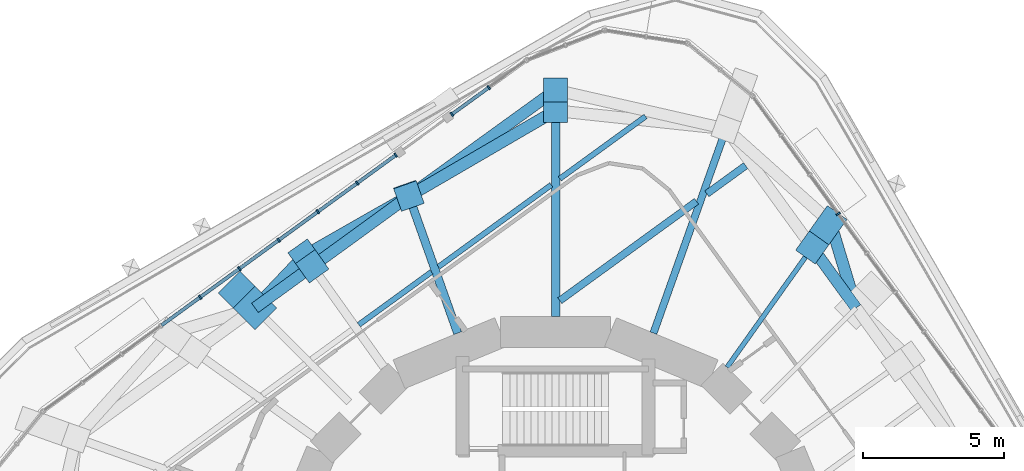
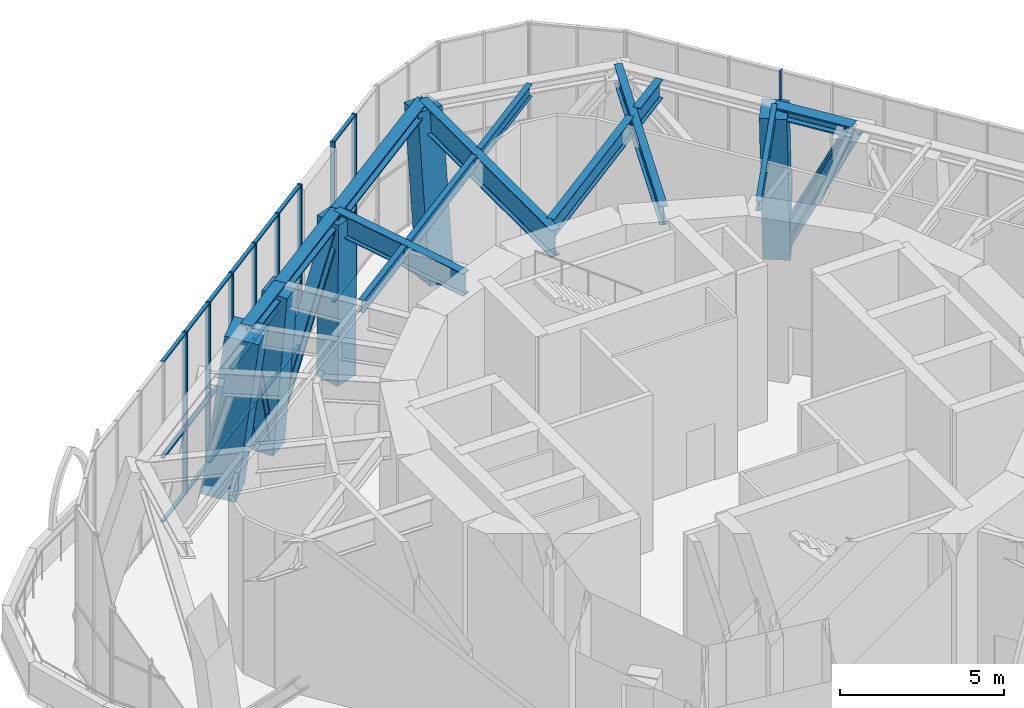
# One storey, part 8 of 18: 43 members, 9 beams, 3 elements without a shape of their own.
"""IFC4 building model written with IfcOpenShell, lengths in metres."""

from ifc_helpers import new_model, si_unit, direction, frame, origin, origin_2d, place, context, subcontext, project, spatial, rectangle, i_section, extrude, material, material_profile, profile_set, type_object, element, aggregate, save


model = new_model("IFC4")

# Units and contexts
model_context = context("Model", 3, precision=1e-05, world=origin(), true_north=direction((0.0, 1.0)))
body_context = subcontext(model_context, "Body", "Model", "MODEL_VIEW")
ifc_project = project(units=[si_unit("LENGTHUNIT", "METRE"), si_unit("AREAUNIT", "SQUARE_METRE"), si_unit("VOLUMEUNIT", "CUBIC_METRE"), si_unit("PLANEANGLEUNIT", "RADIAN"), si_unit("MASSUNIT", "GRAM", prefix="KILO")], contexts=[model_context])

# Site, building, storey
site_placement = place(None, origin())
site = spatial("IfcSite", under=ifc_project, at=site_placement, CompositionType="ELEMENT")
building_placement = place(site_placement, origin())
building = spatial("IfcBuilding", under=site, at=building_placement, Name="Nakasero Lantern House", CompositionType="ELEMENT")
storey_placement = place(building_placement, frame((0.0, 0.0, 257.75)))
storey = spatial("IfcBuildingStorey", under=building, at=storey_placement, Name="L63", CompositionType="ELEMENT", Elevation=257.75)

# Members
ifc_material_1 = material(Name="Steel S355", Category="steel")
ifc_material_profile_1 = material_profile(ifc_material_1, i_section(OverallWidth=0.406982421875, OverallDepth=0.4189453125, WebThickness=0.030517578125, FlangeThickness=0.04931640625, FilletRadius=0.01513671875, at=origin_2d()), Name="UC 356x406x393")
ifc_profile_set_1 = profile_set([ifc_material_profile_1], Name="Steel S355")
member_type_1 = type_object("IfcMemberType", Name="Belt truss chord UC 356x406x393", PredefinedType="CHORD", material=ifc_profile_set_1)
member_1_placement = place(storey_placement, frame((10.667236328125, 10.667236328125, 5.590576171875), z_axis=(-0.587782635143, 0.809018895839, 0.0), x_axis=(-0.809018895839, -0.587782635143, 0.0)))
element("IfcMember", 1, at=member_1_placement, inside=storey, type_object=member_type_1, Name="Belt truss top chord T6 B7-C06T", PredefinedType="CHORD", context=body_context, shape_type="SweptSolid", body=[
    extrude(i_section(OverallWidth=0.406982421875, OverallDepth=0.4189453125, WebThickness=0.030517578125, FlangeThickness=0.04931640625, FilletRadius=0.01513671875, at=origin_2d()), origin(), (0.0, 0.0, 1.0), 2.649658203125),
])
member_2_placement = place(storey_placement, frame((0.0, 18.39990234375, 5.590576171875), z_axis=(-0.810316200404, -0.58599287996, 0.0), x_axis=(0.58599287996, -0.810316200404, 0.0)))
element("IfcMember", 2, at=member_2_placement, inside=storey, type_object=member_type_1, Name="Belt truss top chord T6 B7-C09T", PredefinedType="CHORD", context=body_context, shape_type="SweptSolid", body=[
    extrude(i_section(OverallWidth=0.406982421875, OverallDepth=0.4189453125, WebThickness=0.030517578125, FlangeThickness=0.04931640625, FilletRadius=0.01513671875, at=origin_2d()), origin(), (0.0, 0.0, 1.0), 6.42236328125),
])
member_3_placement = place(storey_placement, frame((-5.2041015625, 14.636474609375, 5.590576171875), z_axis=(-0.809012304944, -0.587791706687, 0.0), x_axis=(0.587791706687, -0.809012304944, 0.0)))
element("IfcMember", 3, at=member_3_placement, inside=storey, type_object=member_type_1, Name="Belt truss top chord T6 B7-C10T", PredefinedType="CHORD", context=body_context, shape_type="SweptSolid", body=[
    extrude(i_section(OverallWidth=0.406982421875, OverallDepth=0.4189453125, WebThickness=0.030517578125, FlangeThickness=0.04931640625, FilletRadius=0.01513671875, at=origin_2d()), origin(), (0.0, 0.0, 1.0), 4.2412109375),
])
member_4_placement = place(storey_placement, frame((-8.63525390625, 12.1435546875, 5.590576171875), z_axis=(-0.809017616558, -0.58778439593, 0.0), x_axis=(0.58778439593, -0.809017616558, 0.0)))
element("IfcMember", 4, at=member_4_placement, inside=storey, type_object=member_type_1, Name="Belt truss top chord T6 B7-C11T", PredefinedType="CHORD", context=body_context, shape_type="SweptSolid", body=[
    extrude(i_section(OverallWidth=0.406982421875, OverallDepth=0.4189453125, WebThickness=0.030517578125, FlangeThickness=0.04931640625, FilletRadius=0.01513671875, at=origin_2d()), origin(), (0.0, 0.0, 1.0), 2.51171875),
])
ifc_material_2 = material(Name="Steel S355", Category="steel")
ifc_material_profile_2 = material_profile(ifc_material_2, i_section(OverallWidth=0.41845703125, OverallDepth=0.45556640625, WebThickness=0.0419921875, FlangeThickness=0.0673828125, FilletRadius=0.01513671875, at=origin_2d()), Name="UC 356x406x551")
ifc_profile_set_2 = profile_set([ifc_material_profile_2], Name="Steel S355")
member_type_2 = type_object("IfcMemberType", Name="Belt truss diagonal UC 356x406x551", PredefinedType="BRACE", material=ifc_profile_set_2)
member_5_placement = place(storey_placement, frame((10.667236328125, 10.667236328125, 5.590576171875), z_axis=(-0.135007261487, 0.448346351729, -0.883605448284), x_axis=(-0.95752990218, -0.288333984177, 0.0)))
element("IfcMember", 5, at=member_5_placement, inside=storey, type_object=member_type_2, Name="Belt truss diagonal T6-06", PredefinedType="BRACE", context=body_context, shape_type="SweptSolid", body=[
    extrude(i_section(OverallWidth=0.41845703125, OverallDepth=0.45556640625, WebThickness=0.0419921875, FlangeThickness=0.0673828125, FilletRadius=0.01513671875, at=origin_2d()), origin(), (0.0, 0.0, 1.0), 6.790283203125),
])
member_6_placement = place(storey_placement, frame((0.0, 17.6669921875, -0.409423828125), z_axis=(-0.612176455145, -0.356490257915, 0.705800739428), x_axis=(0.503225602442, -0.864155074652, 0.0)))
element("IfcMember", 6, at=member_6_placement, inside=storey, type_object=member_type_2, Name="Belt truss diagonal T6-09", PredefinedType="BRACE", context=body_context, shape_type="SweptSolid", body=[
    extrude(i_section(OverallWidth=0.41845703125, OverallDepth=0.45556640625, WebThickness=0.0419921875, FlangeThickness=0.0673828125, FilletRadius=0.01513671875, at=origin_2d()), origin(), (0.0, 0.0, 1.0), 8.5009765625),
])
member_7_placement = place(storey_placement, frame((-5.2041015625, 14.636474609375, 5.590576171875), z_axis=(-0.503052316846, -0.286937193585, -0.815233349081), x_axis=(0.495460255243, -0.868630609336, 0.0)))
element("IfcMember", 7, at=member_7_placement, inside=storey, type_object=member_type_2, Name="Belt truss diagonal T6-10", PredefinedType="BRACE", context=body_context, shape_type="SweptSolid", body=[
    extrude(i_section(OverallWidth=0.41845703125, OverallDepth=0.45556640625, WebThickness=0.0419921875, FlangeThickness=0.0673828125, FilletRadius=0.01513671875, at=origin_2d()), origin(), (0.0, 0.0, 1.0), 7.35986328125),
])
member_8_placement = place(storey_placement, frame((-8.906494140625, 12.524658203125, -0.409423828125), z_axis=(-0.269926062061, -0.284747293422, 0.919814600835), x_axis=(0.725742091262, -0.687966872001, 0.0)))
element("IfcMember", 8, at=member_8_placement, inside=storey, type_object=member_type_2, Name="Belt truss diagonal T6-11", PredefinedType="BRACE", context=body_context, shape_type="SweptSolid", body=[
    extrude(i_section(OverallWidth=0.41845703125, OverallDepth=0.45556640625, WebThickness=0.0419921875, FlangeThickness=0.0673828125, FilletRadius=0.01513671875, at=origin_2d()), origin(), (0.0, 0.0, 1.0), 6.52294921875),
])

# Beams
ifc_material_3 = material(Name="Steel S355", Category="steel")
ifc_material_profile_3 = material_profile(ifc_material_3, i_section(OverallWidth=0.19140625, OverallDepth=0.4599609375, WebThickness=0.010009765625, FlangeThickness=0.01611328125, FilletRadius=0.01025390625, at=origin_2d()), Name="UB 457x191x82")
ifc_profile_set_3 = profile_set([ifc_material_profile_3], Name="Steel S355")
beam_type_1 = type_object("IfcBeamType", Name="Infill beam UB 457x191x82", PredefinedType="JOIST", material=ifc_profile_set_3)
beam_1_placement = place(storey_placement, frame((-6.981201171875, 10.069580078125, 5.570068359375), z_axis=(0.809014147131, 0.587789171167, 0.0), x_axis=(-0.587789171167, 0.809014147131, 0.0)))
element("IfcBeam", 9, at=beam_1_placement, inside=storey, type_object=beam_type_1, Name="Infill beam L64 10.5", PredefinedType="JOIST", context=body_context, shape_type="SweptSolid", body=[
    extrude(i_section(OverallWidth=0.19140625, OverallDepth=0.4599609375, WebThickness=0.010009765625, FlangeThickness=0.01611328125, FilletRadius=0.01025390625, at=origin_2d()), origin(), (0.0, 0.0, 1.0), 3.188232421875),
])
beam_2_placement = place(storey_placement, frame((-4.1552734375, 12.122802734375, 5.570068359375), z_axis=(0.809008944548, 0.587796331769, 0.0), x_axis=(-0.587796331769, 0.809008944548, 0.0)))
element("IfcBeam", 10, at=beam_2_placement, inside=storey, type_object=beam_type_1, Name="Infill beam L64 10.6", PredefinedType="JOIST", context=body_context, shape_type="SweptSolid", body=[
    extrude(i_section(OverallWidth=0.19140625, OverallDepth=0.4599609375, WebThickness=0.010009765625, FlangeThickness=0.01611328125, FilletRadius=0.01025390625, at=origin_2d()), origin(), (0.0, 0.0, 1.0), 4.950927734375),
])
beam_3_placement = place(storey_placement, frame((0.14990234375, 15.250732421875, 5.570068359375), z_axis=(0.809008105929, 0.587797485994, 0.0), x_axis=(-0.587797485994, 0.809008105929, 0.0)))
element("IfcBeam", 11, at=beam_3_placement, inside=storey, type_object=beam_type_1, Name="Infill beam L64 10.7", PredefinedType="JOIST", context=body_context, shape_type="SweptSolid", body=[
    extrude(i_section(OverallWidth=0.19140625, OverallDepth=0.4599609375, WebThickness=0.010009765625, FlangeThickness=0.01611328125, FilletRadius=0.01025390625, at=origin_2d()), origin(), (0.0, 0.0, 1.0), 3.763427734375),
])
ifc_material_4 = material(Name="Steel S355", Category="steel")
ifc_material_profile_4 = material_profile(ifc_material_4, i_section(OverallWidth=0.255859375, OverallDepth=0.69287109375, WebThickness=0.014404296875, FlangeThickness=0.023681640625, FilletRadius=0.01513671875, at=origin_2d()), Name="UB 686x254x170")
ifc_profile_set_4 = profile_set([ifc_material_profile_4], Name="Steel S355")
beam_type_2 = type_object("IfcBeamType", Name="Infill beam UB 686x254x170", PredefinedType="JOIST", material=ifc_profile_set_4)
beam_4_placement = place(storey_placement, frame((0.14990234375, 10.924560546875, 5.45361328125), z_axis=(0.809022921666, 0.587777093989, 0.0), x_axis=(-0.587777093989, 0.809022921666, 0.0)))
element("IfcBeam", 12, at=beam_4_placement, inside=storey, type_object=beam_type_2, Name="Infill beam L64 09.3", PredefinedType="JOIST", context=body_context, shape_type="SweptSolid", body=[
    extrude(i_section(OverallWidth=0.255859375, OverallDepth=0.69287109375, WebThickness=0.014404296875, FlangeThickness=0.023681640625, FilletRadius=0.01513671875, at=origin_2d()), origin(), (0.0, 0.0, 1.0), 5.997314453125),
])
beam_5_placement = place(storey_placement, frame((5.367919921875, 14.715576171875, 5.45361328125), z_axis=(0.809002391855, 0.587805350412, 0.0), x_axis=(-0.587805350412, 0.809002391855, 0.0)))
element("IfcBeam", 13, at=beam_5_placement, inside=storey, type_object=beam_type_2, Name="Infill beam L64 09.4", PredefinedType="JOIST", context=body_context, shape_type="SweptSolid", body=[
    extrude(i_section(OverallWidth=0.255859375, OverallDepth=0.69287109375, WebThickness=0.014404296875, FlangeThickness=0.023681640625, FilletRadius=0.01513671875, at=origin_2d()), origin(), (0.0, 0.0, 1.0), 1.7041015625),
])

# Curtain wall, member
ifc_material_5 = material(Name="Aluminium 6063-T6 and glass", Category="aluminium")
curtain_wall_type = type_object("IfcCurtainWallType", Name="Sky lounge glazing CW-3", PredefinedType="USERDEFINED", material=ifc_material_5)
curtain_wall_1_placement = place(storey_placement, origin())
curtain_wall_1 = element("IfcCurtainWall", 14, at=curtain_wall_1_placement, inside=storey, type_object=curtain_wall_type, Name="Curtain wall CW-3 L63", ObjectType="STICK CURTAIN WALL", PredefinedType="USERDEFINED")
ifc_material_6 = material(Name="Aluminium 6063-T6", Category="aluminium")
ifc_material_profile_5 = material_profile(ifc_material_6, rectangle(XDim=0.06005859375, YDim=0.159912109375, at=origin_2d()), Name="CW-3 mullion 60x160")
ifc_profile_set_5 = profile_set([ifc_material_profile_5], Name="Aluminium 6063-T6")
member_type_3 = type_object("IfcMemberType", Name="Mullion CW-3", PredefinedType="MULLION", material=ifc_profile_set_5)
member_9_placement = place(storey_placement, frame((10.03369140625, 14.005859375, 0.0), z_axis=(0.0, 0.0, 1.0), x_axis=(-0.587785252292, 0.809016994375, 0.0)))
member_9 = element("IfcMember", 15, at=member_9_placement, type_object=member_type_3, Name="CW-3 mullion 7", PredefinedType="MULLION", context=body_context, shape_type="SweptSolid", body=[
    extrude(rectangle(XDim=0.06005859375, YDim=0.159912109375, at=origin_2d()), origin(), (0.0, 0.0, 1.0), 6.0),
])
aggregate(curtain_wall_1, [member_9])

# Curtain wall, members
curtain_wall_2_placement = place(storey_placement, origin())
curtain_wall_2 = element("IfcCurtainWall", 16, at=curtain_wall_2_placement, inside=storey, type_object=curtain_wall_type, Name="Curtain wall CW-3 L63", ObjectType="STICK CURTAIN WALL", PredefinedType="USERDEFINED")
member_10_placement = place(storey_placement, frame((-2.36962890625, 18.488037109375, 0.0), z_axis=(0.0, 0.0, 1.0), x_axis=(-0.809016994375, -0.587785252292, 0.0)))
member_10 = element("IfcMember", 17, at=member_10_placement, type_object=member_type_3, Name="CW-3 mullion 2", PredefinedType="MULLION", context=body_context, shape_type="SweptSolid", body=[
    extrude(rectangle(XDim=0.06005859375, YDim=0.159912109375, at=origin_2d()), origin(), (0.0, 0.0, 1.0), 6.0),
])
member_11_placement = place(storey_placement, frame((-3.68017578125, 17.535888671875, 0.0), z_axis=(0.0, 0.0, 1.0), x_axis=(-0.809016994375, -0.587785252292, 0.0)))
member_11 = element("IfcMember", 18, at=member_11_placement, type_object=member_type_3, Name="CW-3 mullion 3", PredefinedType="MULLION", context=body_context, shape_type="SweptSolid", body=[
    extrude(rectangle(XDim=0.06005859375, YDim=0.159912109375, at=origin_2d()), origin(), (0.0, 0.0, 1.0), 6.0),
])

curtain_wall_3_placement = place(storey_placement, origin())
curtain_wall_3 = element("IfcCurtainWall", 19, at=curtain_wall_3_placement, inside=storey, type_object=curtain_wall_type, Name="Curtain wall CW-3 L63", ObjectType="STICK CURTAIN WALL", PredefinedType="USERDEFINED")
member_12_placement = place(storey_placement, frame((-5.67041015625, 16.08984375, 0.0), z_axis=(0.0, 0.0, 1.0), x_axis=(-0.809016994375, -0.587785252292, 0.0)))
member_12 = element("IfcMember", 20, at=member_12_placement, type_object=member_type_3, Name="CW-3 mullion 1", PredefinedType="MULLION", context=body_context, shape_type="SweptSolid", body=[
    extrude(rectangle(XDim=0.06005859375, YDim=0.159912109375, at=origin_2d()), origin(), (0.0, 0.0, 1.0), 6.0),
])
member_13_placement = place(storey_placement, frame((-7.039306640625, 15.09521484375, 0.0), z_axis=(0.0, 0.0, 1.0), x_axis=(-0.809016994375, -0.587785252292, 0.0)))
member_13 = element("IfcMember", 21, at=member_13_placement, type_object=member_type_3, Name="CW-3 mullion 2", PredefinedType="MULLION", context=body_context, shape_type="SweptSolid", body=[
    extrude(rectangle(XDim=0.06005859375, YDim=0.159912109375, at=origin_2d()), origin(), (0.0, 0.0, 1.0), 6.0),
])
member_14_placement = place(storey_placement, frame((-8.4326171875, 14.0830078125, 0.0), z_axis=(0.0, 0.0, 1.0), x_axis=(-0.809016994375, -0.587785252292, 0.0)))
member_14 = element("IfcMember", 22, at=member_14_placement, type_object=member_type_3, Name="CW-3 mullion 3", PredefinedType="MULLION", context=body_context, shape_type="SweptSolid", body=[
    extrude(rectangle(XDim=0.06005859375, YDim=0.159912109375, at=origin_2d()), origin(), (0.0, 0.0, 1.0), 6.0),
])
member_15_placement = place(storey_placement, frame((-9.825927734375, 13.07080078125, 0.0), z_axis=(0.0, 0.0, 1.0), x_axis=(-0.809016994375, -0.587785252292, 0.0)))
member_15 = element("IfcMember", 23, at=member_15_placement, type_object=member_type_3, Name="CW-3 mullion 4", PredefinedType="MULLION", context=body_context, shape_type="SweptSolid", body=[
    extrude(rectangle(XDim=0.06005859375, YDim=0.159912109375, at=origin_2d()), origin(), (0.0, 0.0, 1.0), 6.0),
])
member_16_placement = place(storey_placement, frame((-11.21923828125, 12.058349609375, 0.0), z_axis=(0.0, 0.0, 1.0), x_axis=(-0.809016994375, -0.587785252292, 0.0)))
member_16 = element("IfcMember", 24, at=member_16_placement, type_object=member_type_3, Name="CW-3 mullion 5", PredefinedType="MULLION", context=body_context, shape_type="SweptSolid", body=[
    extrude(rectangle(XDim=0.06005859375, YDim=0.159912109375, at=origin_2d()), origin(), (0.0, 0.0, 1.0), 6.0),
])
member_17_placement = place(storey_placement, frame((-12.612548828125, 11.046142578125, 0.0), z_axis=(0.0, 0.0, 1.0), x_axis=(-0.809016994375, -0.587785252292, 0.0)))
member_17 = element("IfcMember", 25, at=member_17_placement, type_object=member_type_3, Name="CW-3 mullion 6", PredefinedType="MULLION", context=body_context, shape_type="SweptSolid", body=[
    extrude(rectangle(XDim=0.06005859375, YDim=0.159912109375, at=origin_2d()), origin(), (0.0, 0.0, 1.0), 6.0),
])

# Beams
ifc_material_7 = material(Name="Steel S355", Category="steel")
ifc_material_profile_6 = material_profile(ifc_material_7, i_section(OverallWidth=0.300048828125, OverallDepth=1.0, WebThickness=0.01904296875, FlangeThickness=0.035888671875, FilletRadius=0.030029296875, at=origin_2d()), Name="UB 1016x305x314")
ifc_profile_set_6 = profile_set([ifc_material_profile_6], Name="Steel S355")
beam_type_3 = type_object("IfcBeamType", Name="Primary beam UB 1016x305x314, span 6 to 9 m", PredefinedType="BEAM", material=ifc_profile_set_6)
beam_6_placement = place(storey_placement, frame((0.0, 18.39990234375, 5.300048828125), z_axis=(0.0, -1.0, 0.0), x_axis=(1.0, 0.0, 0.0)))
element("IfcBeam", 26, at=beam_6_placement, inside=storey, type_object=beam_type_3, Name="Primary beam L64 B7-C09T", PredefinedType="BEAM", context=body_context, shape_type="SweptSolid", body=[
    extrude(i_section(OverallWidth=0.300048828125, OverallDepth=1.0, WebThickness=0.01904296875, FlangeThickness=0.035888671875, FilletRadius=0.030029296875, at=origin_2d()), origin(), (0.0, 0.0, 1.0), 8.0419921875),
])
ifc_material_8 = material(Name="Steel S355", Category="steel")
ifc_material_profile_7 = material_profile(ifc_material_8, i_section(OverallWidth=0.17138671875, OverallDepth=0.35498046875, WebThickness=0.00732421875, FlangeThickness=0.011474609375, FilletRadius=0.01025390625, at=origin_2d()), Name="UB 356x171x51")
ifc_profile_set_7 = profile_set([ifc_material_profile_7], Name="Steel S355")
beam_type_4 = type_object("IfcBeamType", Name="Primary beam UB 356x171x51, span to 6 m", PredefinedType="BEAM", material=ifc_profile_set_7)
beam_7_placement = place(storey_placement, frame((9.10986328125, 12.810791015625, 5.62255859375), z_axis=(-0.579500985986, -0.814971537688, 0.0), x_axis=(0.814971537688, -0.579500985986, 0.0)))
element("IfcBeam", 27, at=beam_7_placement, inside=storey, type_object=beam_type_4, Name="Primary beam L64 B7-C07T", PredefinedType="BEAM", context=body_context, shape_type="SweptSolid", body=[
    extrude(i_section(OverallWidth=0.17138671875, OverallDepth=0.35498046875, WebThickness=0.00732421875, FlangeThickness=0.011474609375, FilletRadius=0.01025390625, at=origin_2d()), origin(), (0.0, 0.0, 1.0), 5.215087890625),
])
ifc_material_9 = material(Name="Steel S355", Category="steel")
ifc_material_profile_8 = material_profile(ifc_material_9, i_section(OverallWidth=0.255859375, OverallDepth=0.69287109375, WebThickness=0.014404296875, FlangeThickness=0.023681640625, FilletRadius=0.01513671875, at=origin_2d()), Name="UB 686x254x170")
ifc_profile_set_8 = profile_set([ifc_material_profile_8], Name="Steel S355")
beam_type_5 = type_object("IfcBeamType", Name="Primary beam UB 686x254x170, span 6 to 9 m", PredefinedType="BEAM", material=ifc_profile_set_8)
beam_8_placement = place(storey_placement, frame((6.051513671875, 17.02001953125, 5.45361328125), z_axis=(-0.334989005521, -0.942222036561, 0.0), x_axis=(0.942222036561, -0.334989005521, 0.0)))
element("IfcBeam", 28, at=beam_8_placement, inside=storey, type_object=beam_type_5, Name="Primary beam L64 B7-C08T", PredefinedType="BEAM", context=body_context, shape_type="SweptSolid", body=[
    extrude(i_section(OverallWidth=0.255859375, OverallDepth=0.69287109375, WebThickness=0.014404296875, FlangeThickness=0.023681640625, FilletRadius=0.01513671875, at=origin_2d()), origin(), (0.0, 0.0, 1.0), 7.6923828125),
])
ifc_material_10 = material(Name="Steel S355", Category="steel")
ifc_material_profile_9 = material_profile(ifc_material_10, i_section(OverallWidth=0.29248046875, OverallDepth=0.8408203125, WebThickness=0.0146484375, FlangeThickness=0.02685546875, FilletRadius=0.017822265625, at=origin_2d()), Name="UB 838x292x194")
ifc_profile_set_9 = profile_set([ifc_material_profile_9], Name="Steel S355")
beam_type_6 = type_object("IfcBeamType", Name="Primary beam UB 838x292x194, span to 6 m", PredefinedType="BEAM", material=ifc_profile_set_9)
beam_9_placement = place(storey_placement, frame((-5.2041015625, 14.636474609375, 5.379638671875), z_axis=(0.3349910093, -0.942221324153, 0.0), x_axis=(0.942221324153, 0.3349910093, 0.0)))
element("IfcBeam", 29, at=beam_9_placement, inside=storey, type_object=beam_type_6, Name="Primary beam L64 B7-C10T", PredefinedType="BEAM", context=body_context, shape_type="SweptSolid", body=[
    extrude(i_section(OverallWidth=0.29248046875, OverallDepth=0.8408203125, WebThickness=0.0146484375, FlangeThickness=0.02685546875, FilletRadius=0.017822265625, at=origin_2d()), origin(), (0.0, 0.0, 1.0), 5.162841796875),
])

# Members
ifc_material_11 = material(Name="Concrete C45/55", Category="concrete")
ifc_material_profile_10 = material_profile(ifc_material_11, rectangle(XDim=1.10009765625, YDim=1.10009765625, at=origin_2d()), Name="RC 1100x1100")
ifc_profile_set_10 = profile_set([ifc_material_profile_10], Name="Concrete C45/55")
member_type_4 = type_object("IfcMemberType", Name="Raking column RC 1100x1100 C45/55", PredefinedType="STRUT", material=ifc_profile_set_10)
member_18_placement = place(storey_placement, frame((-11.200439453125, 11.200439453125, -0.409423828125), z_axis=(0.088173575657, -0.088173575657, 0.992194961241), x_axis=(0.707106781187, 0.707106781187, 0.0)))
element("IfcMember", 30, at=member_18_placement, inside=storey, type_object=member_type_4, Name="Raking column B7-C12T L63", PredefinedType="STRUT", context=body_context, shape_type="SweptSolid", body=[
    extrude(rectangle(XDim=1.10009765625, YDim=1.10009765625, at=origin_2d()), origin(), (0.0, 0.0, 1.0), 6.047119140625),
])
ifc_material_12 = material(Name="Concrete C45/55", Category="concrete")
ifc_material_profile_11 = material_profile(ifc_material_12, rectangle(XDim=0.85009765625, YDim=0.85009765625, at=origin_2d()), Name="RC 850x850")
ifc_profile_set_11 = profile_set([ifc_material_profile_11], Name="Concrete C45/55")
member_type_5 = type_object("IfcMemberType", Name="Raking column RC 850x850 C45/55", PredefinedType="STRUT", material=ifc_profile_set_11)
member_19_placement = place(storey_placement, frame((9.75048828125, 13.711669921875, -0.409423828125), z_axis=(-0.105003585366, -0.147661291921, 0.983448214157), x_axis=(0.814955324569, -0.57952378636, 0.0)))
element("IfcMember", 31, at=member_19_placement, inside=storey, type_object=member_type_5, Name="Raking column B7-C07T L63", PredefinedType="STRUT", context=body_context, shape_type="SweptSolid", body=[
    extrude(rectangle(XDim=0.85009765625, YDim=0.85009765625, at=origin_2d()), origin(), (0.0, 0.0, 1.0), 6.10107421875),
])
member_20_placement = place(storey_placement, frame((0.0, 17.6669921875, -0.409423828125), z_axis=(0.0, 0.121250450952, 0.992621946233), x_axis=(-1.0, 0.0, 0.0)))
element("IfcMember", 32, at=member_20_placement, inside=storey, type_object=member_type_5, Name="Raking column B7-C09T L63", PredefinedType="STRUT", context=body_context, shape_type="SweptSolid", body=[
    extrude(rectangle(XDim=0.85009765625, YDim=0.85009765625, at=origin_2d()), origin(), (0.0, 0.0, 1.0), 6.044677734375),
])
member_21_placement = place(storey_placement, frame((-5.211669921875, 14.657958984375, -0.409423828125), z_axis=(0.001261384139, -0.003580703363, 0.999992793711), x_axis=(0.943188038542, 0.332259422668, 0.0)))
element("IfcMember", 33, at=member_21_placement, inside=storey, type_object=member_type_5, Name="Raking column B7-C10T L63", PredefinedType="STRUT", context=body_context, shape_type="SweptSolid", body=[
    extrude(rectangle(XDim=0.85009765625, YDim=0.85009765625, at=origin_2d()), origin(), (0.0, 0.0, 1.0), 6.0),
])
member_22_placement = place(storey_placement, frame((-8.906494140625, 12.524658203125, -0.409423828125), z_axis=(0.045069943694, -0.063325096405, 0.996974740072), x_axis=(0.814719716355, 0.579854967886, 0.0)))
element("IfcMember", 34, at=member_22_placement, inside=storey, type_object=member_type_5, Name="Raking column B7-C11T L63", PredefinedType="STRUT", context=body_context, shape_type="SweptSolid", body=[
    extrude(rectangle(XDim=0.85009765625, YDim=0.85009765625, at=origin_2d()), origin(), (0.0, 0.0, 1.0), 6.018310546875),
])

# Member
ifc_material_13 = material(Name="Aluminium 6063-T6", Category="aluminium")
ifc_material_profile_12 = material_profile(ifc_material_13, rectangle(XDim=0.06005859375, YDim=0.1201171875, at=origin_2d()), Name="CW-3 transom 60x120")
ifc_profile_set_12 = profile_set([ifc_material_profile_12], Name="Aluminium 6063-T6")
member_type_6 = type_object("IfcMemberType", Name="Transom CW-3", PredefinedType="USERDEFINED", material=ifc_profile_set_12)
member_23_placement = place(storey_placement, frame((-2.393798828125, 18.470458984375, 0.030029296875), z_axis=(-0.809033727421, -0.587762220541, 0.0), x_axis=(0.0, 0.0, 1.0)))
member_23 = element("IfcMember", 35, at=member_23_placement, type_object=member_type_6, Name="CW-3 transom 2.1", ObjectType="TRANSOM", PredefinedType="USERDEFINED", context=body_context, shape_type="SweptSolid", body=[
    extrude(rectangle(XDim=0.06005859375, YDim=0.1201171875, at=origin_2d()), origin(), (0.0, 0.0, 1.0), 1.56005859375),
])

member_24_placement = place(storey_placement, frame((-2.393798828125, 18.470458984375, 2.39990234375), z_axis=(-0.809033727421, -0.587762220541, 0.0), x_axis=(0.0, 0.0, 1.0)))
member_24 = element("IfcMember", 36, at=member_24_placement, type_object=member_type_6, Name="CW-3 transom 2.2", ObjectType="TRANSOM", PredefinedType="USERDEFINED", context=body_context, shape_type="SweptSolid", body=[
    extrude(rectangle(XDim=0.06005859375, YDim=0.1201171875, at=origin_2d()), origin(), (0.0, 0.0, 1.0), 1.56005859375),
])

member_25_placement = place(storey_placement, frame((-2.393798828125, 18.470458984375, 5.969970703125), z_axis=(-0.809033727421, -0.587762220541, 0.0), x_axis=(0.0, 0.0, 1.0)))
member_25 = element("IfcMember", 37, at=member_25_placement, type_object=member_type_6, Name="CW-3 transom 2.3", ObjectType="TRANSOM", PredefinedType="USERDEFINED", context=body_context, shape_type="SweptSolid", body=[
    extrude(rectangle(XDim=0.06005859375, YDim=0.1201171875, at=origin_2d()), origin(), (0.0, 0.0, 1.0), 1.56005859375),
])

aggregate(curtain_wall_2, [member_10, member_11, member_23, member_24, member_25])

member_26_placement = place(storey_placement, frame((-5.694580078125, 16.072265625, 0.030029296875), z_axis=(-0.809007643974, -0.5877981218, 0.0), x_axis=(0.0, 0.0, 1.0)))
member_26 = element("IfcMember", 38, at=member_26_placement, type_object=member_type_6, Name="CW-3 transom 1.1", ObjectType="TRANSOM", PredefinedType="USERDEFINED", context=body_context, shape_type="SweptSolid", body=[
    extrude(rectangle(XDim=0.06005859375, YDim=0.1201171875, at=origin_2d()), origin(), (0.0, 0.0, 1.0), 1.63232421875),
])

member_27_placement = place(storey_placement, frame((-5.694580078125, 16.072265625, 2.39990234375), z_axis=(-0.809007643974, -0.5877981218, 0.0), x_axis=(0.0, 0.0, 1.0)))
member_27 = element("IfcMember", 39, at=member_27_placement, type_object=member_type_6, Name="CW-3 transom 1.2", ObjectType="TRANSOM", PredefinedType="USERDEFINED", context=body_context, shape_type="SweptSolid", body=[
    extrude(rectangle(XDim=0.06005859375, YDim=0.1201171875, at=origin_2d()), origin(), (0.0, 0.0, 1.0), 1.63232421875),
])

member_28_placement = place(storey_placement, frame((-5.694580078125, 16.072265625, 5.969970703125), z_axis=(-0.809007643974, -0.5877981218, 0.0), x_axis=(0.0, 0.0, 1.0)))
member_28 = element("IfcMember", 40, at=member_28_placement, type_object=member_type_6, Name="CW-3 transom 1.3", ObjectType="TRANSOM", PredefinedType="USERDEFINED", context=body_context, shape_type="SweptSolid", body=[
    extrude(rectangle(XDim=0.06005859375, YDim=0.1201171875, at=origin_2d()), origin(), (0.0, 0.0, 1.0), 1.63232421875),
])

member_29_placement = place(storey_placement, frame((-7.063720703125, 15.07763671875, 0.030029296875), z_axis=(-0.809002762913, -0.58780483972, 0.0), x_axis=(0.0, 0.0, 1.0)))
member_29 = element("IfcMember", 41, at=member_29_placement, type_object=member_type_6, Name="CW-3 transom 2.1", ObjectType="TRANSOM", PredefinedType="USERDEFINED", context=body_context, shape_type="SweptSolid", body=[
    extrude(rectangle(XDim=0.06005859375, YDim=0.1201171875, at=origin_2d()), origin(), (0.0, 0.0, 1.0), 1.662109375),
])

member_30_placement = place(storey_placement, frame((-7.063720703125, 15.07763671875, 2.39990234375), z_axis=(-0.809002762913, -0.58780483972, 0.0), x_axis=(0.0, 0.0, 1.0)))
member_30 = element("IfcMember", 42, at=member_30_placement, type_object=member_type_6, Name="CW-3 transom 2.2", ObjectType="TRANSOM", PredefinedType="USERDEFINED", context=body_context, shape_type="SweptSolid", body=[
    extrude(rectangle(XDim=0.06005859375, YDim=0.1201171875, at=origin_2d()), origin(), (0.0, 0.0, 1.0), 1.662109375),
])

member_31_placement = place(storey_placement, frame((-7.063720703125, 15.07763671875, 5.969970703125), z_axis=(-0.809002762913, -0.58780483972, 0.0), x_axis=(0.0, 0.0, 1.0)))
member_31 = element("IfcMember", 43, at=member_31_placement, type_object=member_type_6, Name="CW-3 transom 2.3", ObjectType="TRANSOM", PredefinedType="USERDEFINED", context=body_context, shape_type="SweptSolid", body=[
    extrude(rectangle(XDim=0.06005859375, YDim=0.1201171875, at=origin_2d()), origin(), (0.0, 0.0, 1.0), 1.662109375),
])

member_32_placement = place(storey_placement, frame((-8.45703125, 14.0654296875, 0.030029296875), z_axis=(-0.809002762913, -0.58780483972, 0.0), x_axis=(0.0, 0.0, 1.0)))
member_32 = element("IfcMember", 44, at=member_32_placement, type_object=member_type_6, Name="CW-3 transom 3.1", ObjectType="TRANSOM", PredefinedType="USERDEFINED", context=body_context, shape_type="SweptSolid", body=[
    extrude(rectangle(XDim=0.06005859375, YDim=0.1201171875, at=origin_2d()), origin(), (0.0, 0.0, 1.0), 1.662109375),
])

member_33_placement = place(storey_placement, frame((-8.45703125, 14.0654296875, 2.39990234375), z_axis=(-0.809002762913, -0.58780483972, 0.0), x_axis=(0.0, 0.0, 1.0)))
member_33 = element("IfcMember", 45, at=member_33_placement, type_object=member_type_6, Name="CW-3 transom 3.2", ObjectType="TRANSOM", PredefinedType="USERDEFINED", context=body_context, shape_type="SweptSolid", body=[
    extrude(rectangle(XDim=0.06005859375, YDim=0.1201171875, at=origin_2d()), origin(), (0.0, 0.0, 1.0), 1.662109375),
])

member_34_placement = place(storey_placement, frame((-8.45703125, 14.0654296875, 5.969970703125), z_axis=(-0.809002762913, -0.58780483972, 0.0), x_axis=(0.0, 0.0, 1.0)))
member_34 = element("IfcMember", 46, at=member_34_placement, type_object=member_type_6, Name="CW-3 transom 3.3", ObjectType="TRANSOM", PredefinedType="USERDEFINED", context=body_context, shape_type="SweptSolid", body=[
    extrude(rectangle(XDim=0.06005859375, YDim=0.1201171875, at=origin_2d()), origin(), (0.0, 0.0, 1.0), 1.662109375),
])

member_35_placement = place(storey_placement, frame((-9.850341796875, 13.052978515625, 0.030029296875), z_axis=(-0.809002762913, -0.58780483972, 0.0), x_axis=(0.0, 0.0, 1.0)))
member_35 = element("IfcMember", 47, at=member_35_placement, type_object=member_type_6, Name="CW-3 transom 4.1", ObjectType="TRANSOM", PredefinedType="USERDEFINED", context=body_context, shape_type="SweptSolid", body=[
    extrude(rectangle(XDim=0.06005859375, YDim=0.1201171875, at=origin_2d()), origin(), (0.0, 0.0, 1.0), 1.662109375),
])

member_36_placement = place(storey_placement, frame((-9.850341796875, 13.052978515625, 2.39990234375), z_axis=(-0.809002762913, -0.58780483972, 0.0), x_axis=(0.0, 0.0, 1.0)))
member_36 = element("IfcMember", 48, at=member_36_placement, type_object=member_type_6, Name="CW-3 transom 4.2", ObjectType="TRANSOM", PredefinedType="USERDEFINED", context=body_context, shape_type="SweptSolid", body=[
    extrude(rectangle(XDim=0.06005859375, YDim=0.1201171875, at=origin_2d()), origin(), (0.0, 0.0, 1.0), 1.662109375),
])

member_37_placement = place(storey_placement, frame((-9.850341796875, 13.052978515625, 5.969970703125), z_axis=(-0.809002762913, -0.58780483972, 0.0), x_axis=(0.0, 0.0, 1.0)))
member_37 = element("IfcMember", 49, at=member_37_placement, type_object=member_type_6, Name="CW-3 transom 4.3", ObjectType="TRANSOM", PredefinedType="USERDEFINED", context=body_context, shape_type="SweptSolid", body=[
    extrude(rectangle(XDim=0.06005859375, YDim=0.1201171875, at=origin_2d()), origin(), (0.0, 0.0, 1.0), 1.662109375),
])

member_38_placement = place(storey_placement, frame((-11.24365234375, 12.040771484375, 0.030029296875), z_axis=(-0.809002762913, -0.58780483972, 0.0), x_axis=(0.0, 0.0, 1.0)))
member_38 = element("IfcMember", 50, at=member_38_placement, type_object=member_type_6, Name="CW-3 transom 5.1", ObjectType="TRANSOM", PredefinedType="USERDEFINED", context=body_context, shape_type="SweptSolid", body=[
    extrude(rectangle(XDim=0.06005859375, YDim=0.1201171875, at=origin_2d()), origin(), (0.0, 0.0, 1.0), 1.662109375),
])

member_39_placement = place(storey_placement, frame((-11.24365234375, 12.040771484375, 2.39990234375), z_axis=(-0.809002762913, -0.58780483972, 0.0), x_axis=(0.0, 0.0, 1.0)))
member_39 = element("IfcMember", 51, at=member_39_placement, type_object=member_type_6, Name="CW-3 transom 5.2", ObjectType="TRANSOM", PredefinedType="USERDEFINED", context=body_context, shape_type="SweptSolid", body=[
    extrude(rectangle(XDim=0.06005859375, YDim=0.1201171875, at=origin_2d()), origin(), (0.0, 0.0, 1.0), 1.662109375),
])

member_40_placement = place(storey_placement, frame((-11.24365234375, 12.040771484375, 5.969970703125), z_axis=(-0.809002762913, -0.58780483972, 0.0), x_axis=(0.0, 0.0, 1.0)))
member_40 = element("IfcMember", 52, at=member_40_placement, type_object=member_type_6, Name="CW-3 transom 5.3", ObjectType="TRANSOM", PredefinedType="USERDEFINED", context=body_context, shape_type="SweptSolid", body=[
    extrude(rectangle(XDim=0.06005859375, YDim=0.1201171875, at=origin_2d()), origin(), (0.0, 0.0, 1.0), 1.662109375),
])

member_41_placement = place(storey_placement, frame((-12.636962890625, 11.028564453125, 0.030029296875), z_axis=(-0.809002762913, -0.58780483972, 0.0), x_axis=(0.0, 0.0, 1.0)))
member_41 = element("IfcMember", 53, at=member_41_placement, type_object=member_type_6, Name="CW-3 transom 6.1", ObjectType="TRANSOM", PredefinedType="USERDEFINED", context=body_context, shape_type="SweptSolid", body=[
    extrude(rectangle(XDim=0.06005859375, YDim=0.1201171875, at=origin_2d()), origin(), (0.0, 0.0, 1.0), 1.662109375),
])

member_42_placement = place(storey_placement, frame((-12.636962890625, 11.028564453125, 2.39990234375), z_axis=(-0.809002762913, -0.58780483972, 0.0), x_axis=(0.0, 0.0, 1.0)))
member_42 = element("IfcMember", 54, at=member_42_placement, type_object=member_type_6, Name="CW-3 transom 6.2", ObjectType="TRANSOM", PredefinedType="USERDEFINED", context=body_context, shape_type="SweptSolid", body=[
    extrude(rectangle(XDim=0.06005859375, YDim=0.1201171875, at=origin_2d()), origin(), (0.0, 0.0, 1.0), 1.662109375),
])

member_43_placement = place(storey_placement, frame((-12.636962890625, 11.028564453125, 5.969970703125), z_axis=(-0.809002762913, -0.58780483972, 0.0), x_axis=(0.0, 0.0, 1.0)))
member_43 = element("IfcMember", 55, at=member_43_placement, type_object=member_type_6, Name="CW-3 transom 6.3", ObjectType="TRANSOM", PredefinedType="USERDEFINED", context=body_context, shape_type="SweptSolid", body=[
    extrude(rectangle(XDim=0.06005859375, YDim=0.1201171875, at=origin_2d()), origin(), (0.0, 0.0, 1.0), 1.662109375),
])

aggregate(curtain_wall_3, [member_12, member_13, member_14, member_15, member_16, member_17, member_26, member_27, member_28, member_29, member_30, member_31, member_32, member_33, member_34, member_35, member_36, member_37, member_38, member_39, member_40, member_41, member_42, member_43])

save(model, "model.ifc")
